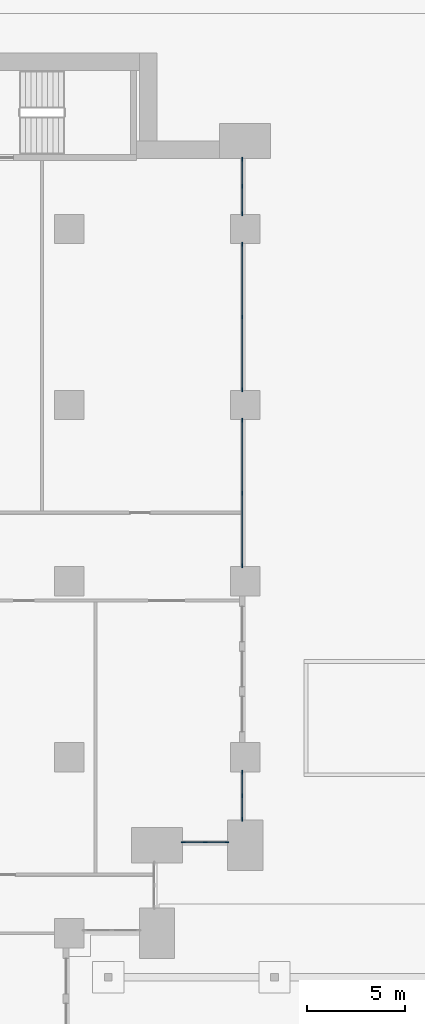
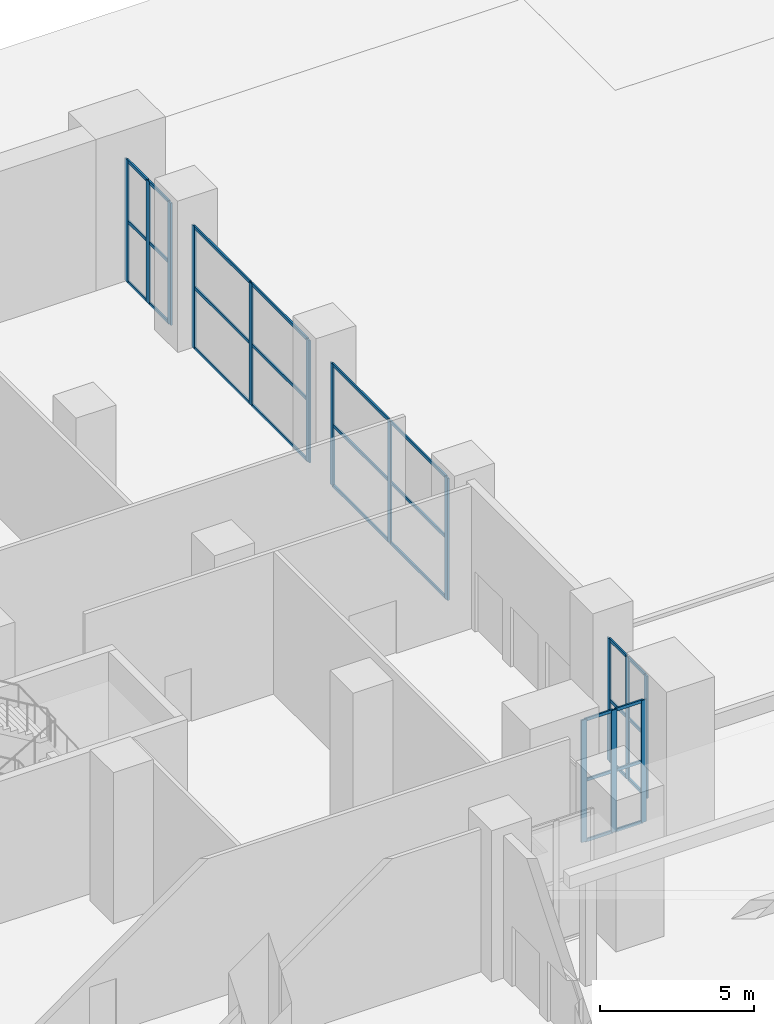
# One storey, part 6 of 47: 45 members, 5 elements without a shape of their own.
"""IFC4 building model written with IfcOpenShell, lengths in metres."""

from ifc_helpers import new_model, si_unit, direction, frame, origin, origin_2d, place, context, subcontext, project, spatial, rectangle, extrude, material, material_profile, profile_set, type_object, element, aggregate, save


model = new_model("IFC4")

# Units and contexts
model_context = context("Model", 3, precision=1e-05, world=origin(), true_north=direction((0.0, 1.0)))
body_context = subcontext(model_context, "Body", "Model", "MODEL_VIEW")
ifc_project = project(units=[si_unit("LENGTHUNIT", "METRE"), si_unit("AREAUNIT", "SQUARE_METRE"), si_unit("VOLUMEUNIT", "CUBIC_METRE"), si_unit("PLANEANGLEUNIT", "RADIAN"), si_unit("MASSUNIT", "GRAM", prefix="KILO")], contexts=[model_context])

# Site, building, storey
site_placement = place(None, origin())
site = spatial("IfcSite", under=ifc_project, at=site_placement, CompositionType="ELEMENT")
building_placement = place(site_placement, origin())
building = spatial("IfcBuilding", under=site, at=building_placement, Name="Hunhe Ridgeline Campus", CompositionType="ELEMENT")
storey_placement = place(building_placement, origin())
storey = spatial("IfcBuildingStorey", under=building, at=storey_placement, Name="L00", CompositionType="ELEMENT", Elevation=0.0)

# Curtain wall, members
ifc_material_1 = material(Name="Aluminium and glass", Category="aluminium")
curtain_wall_type = type_object("IfcCurtainWallType", Name="Podium curtain wall CW-2", PredefinedType="NOTDEFINED", material=ifc_material_1)
curtain_wall_1_placement = place(storey_placement, origin())
curtain_wall_1 = element("IfcCurtainWall", 1, at=curtain_wall_1_placement, inside=storey, type_object=curtain_wall_type, Name="L00 podium curtain wall 3", PredefinedType="NOTDEFINED")
ifc_material_2 = material(Name="Aluminium", Category="aluminium")
ifc_material_profile_1 = material_profile(ifc_material_2, rectangle(XDim=0.06005859375, YDim=0.199951171875, at=origin_2d()))
ifc_profile_set_1 = profile_set([ifc_material_profile_1], Name="Aluminium")
member_type_1 = type_object("IfcMemberType", Name="CW-2 mullion 60x200", PredefinedType="MULLION", material=ifc_profile_set_1)
member_1_placement = place(storey_placement, frame((95.830078125, 58.64990234375, 0.0), z_axis=(0.0, 0.0, 1.0), x_axis=(0.0, 1.0, 0.0)))
member_1 = element("IfcMember", 2, at=member_1_placement, type_object=member_type_1, Name="CW2 mullion 1", PredefinedType="MULLION", context=body_context, shape_type="SweptSolid", body=[
    extrude(rectangle(XDim=0.06005859375, YDim=0.199951171875, at=origin_2d()), origin(), (0.0, 0.0, 1.0), 4.85009765625),
])
member_2_placement = place(storey_placement, frame((96.949951171875, 58.64990234375, 0.0), z_axis=(0.0, 0.0, 1.0), x_axis=(0.0, 1.0, 0.0)))
member_2 = element("IfcMember", 3, at=member_2_placement, type_object=member_type_1, Name="CW2 mullion 2", PredefinedType="MULLION", context=body_context, shape_type="SweptSolid", body=[
    extrude(rectangle(XDim=0.06005859375, YDim=0.199951171875, at=origin_2d()), origin(), (0.0, 0.0, 1.0), 4.85009765625),
])
member_3_placement = place(storey_placement, frame((98.070068359375, 58.64990234375, 0.0), z_axis=(0.0, 0.0, 1.0), x_axis=(0.0, 1.0, 0.0)))
member_3 = element("IfcMember", 4, at=member_3_placement, type_object=member_type_1, Name="CW2 mullion 3", PredefinedType="MULLION", context=body_context, shape_type="SweptSolid", body=[
    extrude(rectangle(XDim=0.06005859375, YDim=0.199951171875, at=origin_2d()), origin(), (0.0, 0.0, 1.0), 4.85009765625),
])

curtain_wall_2_placement = place(storey_placement, origin())
curtain_wall_2 = element("IfcCurtainWall", 5, at=curtain_wall_2_placement, inside=storey, type_object=curtain_wall_type, Name="L00 podium curtain wall 4", PredefinedType="NOTDEFINED")
member_4_placement = place(storey_placement, frame((98.85009765625, 59.830078125, 0.0), z_axis=(0.0, 0.0, 1.0), x_axis=(-1.0, 0.0, 0.0)))
member_4 = element("IfcMember", 6, at=member_4_placement, type_object=member_type_1, Name="CW2 mullion 1", PredefinedType="MULLION", context=body_context, shape_type="SweptSolid", body=[
    extrude(rectangle(XDim=0.06005859375, YDim=0.199951171875, at=origin_2d()), origin(), (0.0, 0.0, 1.0), 4.85009765625),
])
member_5_placement = place(storey_placement, frame((98.85009765625, 61.02490234375, 0.0), z_axis=(0.0, 0.0, 1.0), x_axis=(-1.0, 0.0, 0.0)))
member_5 = element("IfcMember", 7, at=member_5_placement, type_object=member_type_1, Name="CW2 mullion 2", PredefinedType="MULLION", context=body_context, shape_type="SweptSolid", body=[
    extrude(rectangle(XDim=0.06005859375, YDim=0.199951171875, at=origin_2d()), origin(), (0.0, 0.0, 1.0), 4.85009765625),
])
member_6_placement = place(storey_placement, frame((98.85009765625, 62.219970703125, 0.0), z_axis=(0.0, 0.0, 1.0), x_axis=(-1.0, 0.0, 0.0)))
member_6 = element("IfcMember", 8, at=member_6_placement, type_object=member_type_1, Name="CW2 mullion 3", PredefinedType="MULLION", context=body_context, shape_type="SweptSolid", body=[
    extrude(rectangle(XDim=0.06005859375, YDim=0.199951171875, at=origin_2d()), origin(), (0.0, 0.0, 1.0), 4.85009765625),
])

curtain_wall_3_placement = place(storey_placement, origin())
curtain_wall_3 = element("IfcCurtainWall", 9, at=curtain_wall_3_placement, inside=storey, type_object=curtain_wall_type, Name="L00 podium curtain wall 6", PredefinedType="NOTDEFINED")
member_7_placement = place(storey_placement, frame((98.85009765625, 72.780029296875, 0.0), z_axis=(0.0, 0.0, 1.0), x_axis=(-1.0, 0.0, 0.0)))
member_7 = element("IfcMember", 10, at=member_7_placement, type_object=member_type_1, Name="CW2 mullion 1", PredefinedType="MULLION", context=body_context, shape_type="SweptSolid", body=[
    extrude(rectangle(XDim=0.06005859375, YDim=0.199951171875, at=origin_2d()), origin(), (0.0, 0.0, 1.0), 4.85009765625),
])
member_8_placement = place(storey_placement, frame((98.85009765625, 76.5, 0.0), z_axis=(0.0, 0.0, 1.0), x_axis=(-1.0, 0.0, 0.0)))
member_8 = element("IfcMember", 11, at=member_8_placement, type_object=member_type_1, Name="CW2 mullion 2", PredefinedType="MULLION", context=body_context, shape_type="SweptSolid", body=[
    extrude(rectangle(XDim=0.06005859375, YDim=0.199951171875, at=origin_2d()), origin(), (0.0, 0.0, 1.0), 4.85009765625),
])
member_9_placement = place(storey_placement, frame((98.85009765625, 80.219970703125, 0.0), z_axis=(0.0, 0.0, 1.0), x_axis=(-1.0, 0.0, 0.0)))
member_9 = element("IfcMember", 12, at=member_9_placement, type_object=member_type_1, Name="CW2 mullion 3", PredefinedType="MULLION", context=body_context, shape_type="SweptSolid", body=[
    extrude(rectangle(XDim=0.06005859375, YDim=0.199951171875, at=origin_2d()), origin(), (0.0, 0.0, 1.0), 4.85009765625),
])

curtain_wall_4_placement = place(storey_placement, origin())
curtain_wall_4 = element("IfcCurtainWall", 13, at=curtain_wall_4_placement, inside=storey, type_object=curtain_wall_type, Name="L00 podium curtain wall 7", PredefinedType="NOTDEFINED")
member_10_placement = place(storey_placement, frame((98.85009765625, 81.780029296875, 0.0), z_axis=(0.0, 0.0, 1.0), x_axis=(-1.0, 0.0, 0.0)))
member_10 = element("IfcMember", 14, at=member_10_placement, type_object=member_type_1, Name="CW2 mullion 1", PredefinedType="MULLION", context=body_context, shape_type="SweptSolid", body=[
    extrude(rectangle(XDim=0.06005859375, YDim=0.199951171875, at=origin_2d()), origin(), (0.0, 0.0, 1.0), 4.85009765625),
])
member_11_placement = place(storey_placement, frame((98.85009765625, 85.5, 0.0), z_axis=(0.0, 0.0, 1.0), x_axis=(-1.0, 0.0, 0.0)))
member_11 = element("IfcMember", 15, at=member_11_placement, type_object=member_type_1, Name="CW2 mullion 2", PredefinedType="MULLION", context=body_context, shape_type="SweptSolid", body=[
    extrude(rectangle(XDim=0.06005859375, YDim=0.199951171875, at=origin_2d()), origin(), (0.0, 0.0, 1.0), 4.85009765625),
])
member_12_placement = place(storey_placement, frame((98.85009765625, 89.219970703125, 0.0), z_axis=(0.0, 0.0, 1.0), x_axis=(-1.0, 0.0, 0.0)))
member_12 = element("IfcMember", 16, at=member_12_placement, type_object=member_type_1, Name="CW2 mullion 3", PredefinedType="MULLION", context=body_context, shape_type="SweptSolid", body=[
    extrude(rectangle(XDim=0.06005859375, YDim=0.199951171875, at=origin_2d()), origin(), (0.0, 0.0, 1.0), 4.85009765625),
])

curtain_wall_5_placement = place(storey_placement, origin())
curtain_wall_5 = element("IfcCurtainWall", 17, at=curtain_wall_5_placement, inside=storey, type_object=curtain_wall_type, Name="L00 podium curtain wall 8", PredefinedType="NOTDEFINED")
member_13_placement = place(storey_placement, frame((98.85009765625, 90.780029296875, 0.0), z_axis=(0.0, 0.0, 1.0), x_axis=(-1.0, 0.0, 0.0)))
member_13 = element("IfcMember", 18, at=member_13_placement, type_object=member_type_1, Name="CW2 mullion 1", PredefinedType="MULLION", context=body_context, shape_type="SweptSolid", body=[
    extrude(rectangle(XDim=0.06005859375, YDim=0.199951171875, at=origin_2d()), origin(), (0.0, 0.0, 1.0), 4.85009765625),
])
member_14_placement = place(storey_placement, frame((98.85009765625, 92.175048828125, 0.0), z_axis=(0.0, 0.0, 1.0), x_axis=(-1.0, 0.0, 0.0)))
member_14 = element("IfcMember", 19, at=member_14_placement, type_object=member_type_1, Name="CW2 mullion 2", PredefinedType="MULLION", context=body_context, shape_type="SweptSolid", body=[
    extrude(rectangle(XDim=0.06005859375, YDim=0.199951171875, at=origin_2d()), origin(), (0.0, 0.0, 1.0), 4.85009765625),
])
member_15_placement = place(storey_placement, frame((98.85009765625, 93.570068359375, 0.0), z_axis=(0.0, 0.0, 1.0), x_axis=(-1.0, 0.0, 0.0)))
member_15 = element("IfcMember", 20, at=member_15_placement, type_object=member_type_1, Name="CW2 mullion 3", PredefinedType="MULLION", context=body_context, shape_type="SweptSolid", body=[
    extrude(rectangle(XDim=0.06005859375, YDim=0.199951171875, at=origin_2d()), origin(), (0.0, 0.0, 1.0), 4.85009765625),
])

# Member
ifc_material_profile_2 = material_profile(ifc_material_2, rectangle(XDim=0.06005859375, YDim=0.1201171875, at=origin_2d()))
ifc_profile_set_2 = profile_set([ifc_material_profile_2], Name="Aluminium")
member_type_2 = type_object("IfcMemberType", Name="CW-2 transom 60x120", PredefinedType="USERDEFINED", material=ifc_profile_set_2)
member_16_placement = place(storey_placement, frame((95.860107421875, 58.64990234375, 0.030029296875), z_axis=(1.0, 0.0, 0.0), x_axis=(0.0, 1.0, 0.0)))
member_16 = element("IfcMember", 21, at=member_16_placement, type_object=member_type_2, Name="CW2 transom 1.1", ObjectType="TRANSOM", PredefinedType="USERDEFINED", context=body_context, shape_type="SweptSolid", body=[
    extrude(rectangle(XDim=0.06005859375, YDim=0.1201171875, at=origin_2d()), origin(), (0.0, 0.0, 1.0), 1.059814453125),
])

member_17_placement = place(storey_placement, frame((95.860107421875, 58.64990234375, 2.425048828125), z_axis=(1.0, 0.0, 0.0), x_axis=(0.0, 1.0, 0.0)))
member_17 = element("IfcMember", 22, at=member_17_placement, type_object=member_type_2, Name="CW2 transom 1.2", ObjectType="TRANSOM", PredefinedType="USERDEFINED", context=body_context, shape_type="SweptSolid", body=[
    extrude(rectangle(XDim=0.06005859375, YDim=0.1201171875, at=origin_2d()), origin(), (0.0, 0.0, 1.0), 1.059814453125),
])

member_18_placement = place(storey_placement, frame((95.860107421875, 58.64990234375, 4.820068359375), z_axis=(1.0, 0.0, 0.0), x_axis=(0.0, 1.0, 0.0)))
member_18 = element("IfcMember", 23, at=member_18_placement, type_object=member_type_2, Name="CW2 transom 1.3", ObjectType="TRANSOM", PredefinedType="USERDEFINED", context=body_context, shape_type="SweptSolid", body=[
    extrude(rectangle(XDim=0.06005859375, YDim=0.1201171875, at=origin_2d()), origin(), (0.0, 0.0, 1.0), 1.059814453125),
])

member_19_placement = place(storey_placement, frame((96.97998046875, 58.64990234375, 0.030029296875), z_axis=(1.0, 0.0, 0.0), x_axis=(0.0, 1.0, 0.0)))
member_19 = element("IfcMember", 24, at=member_19_placement, type_object=member_type_2, Name="CW2 transom 2.1", ObjectType="TRANSOM", PredefinedType="USERDEFINED", context=body_context, shape_type="SweptSolid", body=[
    extrude(rectangle(XDim=0.06005859375, YDim=0.1201171875, at=origin_2d()), origin(), (0.0, 0.0, 1.0), 1.06005859375),
])

member_20_placement = place(storey_placement, frame((96.97998046875, 58.64990234375, 2.425048828125), z_axis=(1.0, 0.0, 0.0), x_axis=(0.0, 1.0, 0.0)))
member_20 = element("IfcMember", 25, at=member_20_placement, type_object=member_type_2, Name="CW2 transom 2.2", ObjectType="TRANSOM", PredefinedType="USERDEFINED", context=body_context, shape_type="SweptSolid", body=[
    extrude(rectangle(XDim=0.06005859375, YDim=0.1201171875, at=origin_2d()), origin(), (0.0, 0.0, 1.0), 1.06005859375),
])

member_21_placement = place(storey_placement, frame((96.97998046875, 58.64990234375, 4.820068359375), z_axis=(1.0, 0.0, 0.0), x_axis=(0.0, 1.0, 0.0)))
member_21 = element("IfcMember", 26, at=member_21_placement, type_object=member_type_2, Name="CW2 transom 2.3", ObjectType="TRANSOM", PredefinedType="USERDEFINED", context=body_context, shape_type="SweptSolid", body=[
    extrude(rectangle(XDim=0.06005859375, YDim=0.1201171875, at=origin_2d()), origin(), (0.0, 0.0, 1.0), 1.06005859375),
])

aggregate(curtain_wall_1, [member_1, member_2, member_3, member_16, member_17, member_18, member_19, member_20, member_21])

member_22_placement = place(storey_placement, frame((98.85009765625, 59.860107421875, 0.030029296875), z_axis=(0.0, 1.0, 0.0), x_axis=(-1.0, 0.0, 0.0)))
member_22 = element("IfcMember", 27, at=member_22_placement, type_object=member_type_2, Name="CW2 transom 1.1", ObjectType="TRANSOM", PredefinedType="USERDEFINED", context=body_context, shape_type="SweptSolid", body=[
    extrude(rectangle(XDim=0.06005859375, YDim=0.1201171875, at=origin_2d()), origin(), (0.0, 0.0, 1.0), 1.135009765625),
])

member_23_placement = place(storey_placement, frame((98.85009765625, 59.860107421875, 2.425048828125), z_axis=(0.0, 1.0, 0.0), x_axis=(-1.0, 0.0, 0.0)))
member_23 = element("IfcMember", 28, at=member_23_placement, type_object=member_type_2, Name="CW2 transom 1.2", ObjectType="TRANSOM", PredefinedType="USERDEFINED", context=body_context, shape_type="SweptSolid", body=[
    extrude(rectangle(XDim=0.06005859375, YDim=0.1201171875, at=origin_2d()), origin(), (0.0, 0.0, 1.0), 1.135009765625),
])

member_24_placement = place(storey_placement, frame((98.85009765625, 59.860107421875, 4.820068359375), z_axis=(0.0, 1.0, 0.0), x_axis=(-1.0, 0.0, 0.0)))
member_24 = element("IfcMember", 29, at=member_24_placement, type_object=member_type_2, Name="CW2 transom 1.3", ObjectType="TRANSOM", PredefinedType="USERDEFINED", context=body_context, shape_type="SweptSolid", body=[
    extrude(rectangle(XDim=0.06005859375, YDim=0.1201171875, at=origin_2d()), origin(), (0.0, 0.0, 1.0), 1.135009765625),
])

member_25_placement = place(storey_placement, frame((98.85009765625, 61.054931640625, 0.030029296875), z_axis=(0.0, 1.0, 0.0), x_axis=(-1.0, 0.0, 0.0)))
member_25 = element("IfcMember", 30, at=member_25_placement, type_object=member_type_2, Name="CW2 transom 2.1", ObjectType="TRANSOM", PredefinedType="USERDEFINED", context=body_context, shape_type="SweptSolid", body=[
    extrude(rectangle(XDim=0.06005859375, YDim=0.1201171875, at=origin_2d()), origin(), (0.0, 0.0, 1.0), 1.135009765625),
])

member_26_placement = place(storey_placement, frame((98.85009765625, 61.054931640625, 2.425048828125), z_axis=(0.0, 1.0, 0.0), x_axis=(-1.0, 0.0, 0.0)))
member_26 = element("IfcMember", 31, at=member_26_placement, type_object=member_type_2, Name="CW2 transom 2.2", ObjectType="TRANSOM", PredefinedType="USERDEFINED", context=body_context, shape_type="SweptSolid", body=[
    extrude(rectangle(XDim=0.06005859375, YDim=0.1201171875, at=origin_2d()), origin(), (0.0, 0.0, 1.0), 1.135009765625),
])

member_27_placement = place(storey_placement, frame((98.85009765625, 61.054931640625, 4.820068359375), z_axis=(0.0, 1.0, 0.0), x_axis=(-1.0, 0.0, 0.0)))
member_27 = element("IfcMember", 32, at=member_27_placement, type_object=member_type_2, Name="CW2 transom 2.3", ObjectType="TRANSOM", PredefinedType="USERDEFINED", context=body_context, shape_type="SweptSolid", body=[
    extrude(rectangle(XDim=0.06005859375, YDim=0.1201171875, at=origin_2d()), origin(), (0.0, 0.0, 1.0), 1.135009765625),
])

aggregate(curtain_wall_2, [member_4, member_5, member_6, member_22, member_23, member_24, member_25, member_26, member_27])

member_28_placement = place(storey_placement, frame((98.85009765625, 72.81005859375, 0.030029296875), z_axis=(0.0, 1.0, 0.0), x_axis=(-1.0, 0.0, 0.0)))
member_28 = element("IfcMember", 33, at=member_28_placement, type_object=member_type_2, Name="CW2 transom 1.1", ObjectType="TRANSOM", PredefinedType="USERDEFINED", context=body_context, shape_type="SweptSolid", body=[
    extrude(rectangle(XDim=0.06005859375, YDim=0.1201171875, at=origin_2d()), origin(), (0.0, 0.0, 1.0), 3.659912109375),
])

member_29_placement = place(storey_placement, frame((98.85009765625, 72.81005859375, 2.425048828125), z_axis=(0.0, 1.0, 0.0), x_axis=(-1.0, 0.0, 0.0)))
member_29 = element("IfcMember", 34, at=member_29_placement, type_object=member_type_2, Name="CW2 transom 1.2", ObjectType="TRANSOM", PredefinedType="USERDEFINED", context=body_context, shape_type="SweptSolid", body=[
    extrude(rectangle(XDim=0.06005859375, YDim=0.1201171875, at=origin_2d()), origin(), (0.0, 0.0, 1.0), 3.659912109375),
])

member_30_placement = place(storey_placement, frame((98.85009765625, 72.81005859375, 4.820068359375), z_axis=(0.0, 1.0, 0.0), x_axis=(-1.0, 0.0, 0.0)))
member_30 = element("IfcMember", 35, at=member_30_placement, type_object=member_type_2, Name="CW2 transom 1.3", ObjectType="TRANSOM", PredefinedType="USERDEFINED", context=body_context, shape_type="SweptSolid", body=[
    extrude(rectangle(XDim=0.06005859375, YDim=0.1201171875, at=origin_2d()), origin(), (0.0, 0.0, 1.0), 3.659912109375),
])

member_31_placement = place(storey_placement, frame((98.85009765625, 76.530029296875, 0.030029296875), z_axis=(0.0, 1.0, 0.0), x_axis=(-1.0, 0.0, 0.0)))
member_31 = element("IfcMember", 36, at=member_31_placement, type_object=member_type_2, Name="CW2 transom 2.1", ObjectType="TRANSOM", PredefinedType="USERDEFINED", context=body_context, shape_type="SweptSolid", body=[
    extrude(rectangle(XDim=0.06005859375, YDim=0.1201171875, at=origin_2d()), origin(), (0.0, 0.0, 1.0), 3.659912109375),
])

member_32_placement = place(storey_placement, frame((98.85009765625, 76.530029296875, 2.425048828125), z_axis=(0.0, 1.0, 0.0), x_axis=(-1.0, 0.0, 0.0)))
member_32 = element("IfcMember", 37, at=member_32_placement, type_object=member_type_2, Name="CW2 transom 2.2", ObjectType="TRANSOM", PredefinedType="USERDEFINED", context=body_context, shape_type="SweptSolid", body=[
    extrude(rectangle(XDim=0.06005859375, YDim=0.1201171875, at=origin_2d()), origin(), (0.0, 0.0, 1.0), 3.659912109375),
])

member_33_placement = place(storey_placement, frame((98.85009765625, 76.530029296875, 4.820068359375), z_axis=(0.0, 1.0, 0.0), x_axis=(-1.0, 0.0, 0.0)))
member_33 = element("IfcMember", 38, at=member_33_placement, type_object=member_type_2, Name="CW2 transom 2.3", ObjectType="TRANSOM", PredefinedType="USERDEFINED", context=body_context, shape_type="SweptSolid", body=[
    extrude(rectangle(XDim=0.06005859375, YDim=0.1201171875, at=origin_2d()), origin(), (0.0, 0.0, 1.0), 3.659912109375),
])

aggregate(curtain_wall_3, [member_7, member_8, member_9, member_28, member_29, member_30, member_31, member_32, member_33])

member_34_placement = place(storey_placement, frame((98.85009765625, 81.81005859375, 0.030029296875), z_axis=(0.0, 1.0, 0.0), x_axis=(-1.0, 0.0, 0.0)))
member_34 = element("IfcMember", 39, at=member_34_placement, type_object=member_type_2, Name="CW2 transom 1.1", ObjectType="TRANSOM", PredefinedType="USERDEFINED", context=body_context, shape_type="SweptSolid", body=[
    extrude(rectangle(XDim=0.06005859375, YDim=0.1201171875, at=origin_2d()), origin(), (0.0, 0.0, 1.0), 3.659912109375),
])

member_35_placement = place(storey_placement, frame((98.85009765625, 81.81005859375, 2.425048828125), z_axis=(0.0, 1.0, 0.0), x_axis=(-1.0, 0.0, 0.0)))
member_35 = element("IfcMember", 40, at=member_35_placement, type_object=member_type_2, Name="CW2 transom 1.2", ObjectType="TRANSOM", PredefinedType="USERDEFINED", context=body_context, shape_type="SweptSolid", body=[
    extrude(rectangle(XDim=0.06005859375, YDim=0.1201171875, at=origin_2d()), origin(), (0.0, 0.0, 1.0), 3.659912109375),
])

member_36_placement = place(storey_placement, frame((98.85009765625, 81.81005859375, 4.820068359375), z_axis=(0.0, 1.0, 0.0), x_axis=(-1.0, 0.0, 0.0)))
member_36 = element("IfcMember", 41, at=member_36_placement, type_object=member_type_2, Name="CW2 transom 1.3", ObjectType="TRANSOM", PredefinedType="USERDEFINED", context=body_context, shape_type="SweptSolid", body=[
    extrude(rectangle(XDim=0.06005859375, YDim=0.1201171875, at=origin_2d()), origin(), (0.0, 0.0, 1.0), 3.659912109375),
])

member_37_placement = place(storey_placement, frame((98.85009765625, 85.530029296875, 0.030029296875), z_axis=(0.0, 1.0, 0.0), x_axis=(-1.0, 0.0, 0.0)))
member_37 = element("IfcMember", 42, at=member_37_placement, type_object=member_type_2, Name="CW2 transom 2.1", ObjectType="TRANSOM", PredefinedType="USERDEFINED", context=body_context, shape_type="SweptSolid", body=[
    extrude(rectangle(XDim=0.06005859375, YDim=0.1201171875, at=origin_2d()), origin(), (0.0, 0.0, 1.0), 3.659912109375),
])

member_38_placement = place(storey_placement, frame((98.85009765625, 85.530029296875, 2.425048828125), z_axis=(0.0, 1.0, 0.0), x_axis=(-1.0, 0.0, 0.0)))
member_38 = element("IfcMember", 43, at=member_38_placement, type_object=member_type_2, Name="CW2 transom 2.2", ObjectType="TRANSOM", PredefinedType="USERDEFINED", context=body_context, shape_type="SweptSolid", body=[
    extrude(rectangle(XDim=0.06005859375, YDim=0.1201171875, at=origin_2d()), origin(), (0.0, 0.0, 1.0), 3.659912109375),
])

member_39_placement = place(storey_placement, frame((98.85009765625, 85.530029296875, 4.820068359375), z_axis=(0.0, 1.0, 0.0), x_axis=(-1.0, 0.0, 0.0)))
member_39 = element("IfcMember", 44, at=member_39_placement, type_object=member_type_2, Name="CW2 transom 2.3", ObjectType="TRANSOM", PredefinedType="USERDEFINED", context=body_context, shape_type="SweptSolid", body=[
    extrude(rectangle(XDim=0.06005859375, YDim=0.1201171875, at=origin_2d()), origin(), (0.0, 0.0, 1.0), 3.659912109375),
])

aggregate(curtain_wall_4, [member_10, member_11, member_12, member_34, member_35, member_36, member_37, member_38, member_39])

member_40_placement = place(storey_placement, frame((98.85009765625, 90.81005859375, 0.030029296875), z_axis=(0.0, 1.0, 0.0), x_axis=(-1.0, 0.0, 0.0)))
member_40 = element("IfcMember", 45, at=member_40_placement, type_object=member_type_2, Name="CW2 transom 1.1", ObjectType="TRANSOM", PredefinedType="USERDEFINED", context=body_context, shape_type="SweptSolid", body=[
    extrude(rectangle(XDim=0.06005859375, YDim=0.1201171875, at=origin_2d()), origin(), (0.0, 0.0, 1.0), 1.3349609375),
])

member_41_placement = place(storey_placement, frame((98.85009765625, 90.81005859375, 2.425048828125), z_axis=(0.0, 1.0, 0.0), x_axis=(-1.0, 0.0, 0.0)))
member_41 = element("IfcMember", 46, at=member_41_placement, type_object=member_type_2, Name="CW2 transom 1.2", ObjectType="TRANSOM", PredefinedType="USERDEFINED", context=body_context, shape_type="SweptSolid", body=[
    extrude(rectangle(XDim=0.06005859375, YDim=0.1201171875, at=origin_2d()), origin(), (0.0, 0.0, 1.0), 1.3349609375),
])

member_42_placement = place(storey_placement, frame((98.85009765625, 90.81005859375, 4.820068359375), z_axis=(0.0, 1.0, 0.0), x_axis=(-1.0, 0.0, 0.0)))
member_42 = element("IfcMember", 47, at=member_42_placement, type_object=member_type_2, Name="CW2 transom 1.3", ObjectType="TRANSOM", PredefinedType="USERDEFINED", context=body_context, shape_type="SweptSolid", body=[
    extrude(rectangle(XDim=0.06005859375, YDim=0.1201171875, at=origin_2d()), origin(), (0.0, 0.0, 1.0), 1.3349609375),
])

member_43_placement = place(storey_placement, frame((98.85009765625, 92.205078125, 0.030029296875), z_axis=(0.0, 1.0, 0.0), x_axis=(-1.0, 0.0, 0.0)))
member_43 = element("IfcMember", 48, at=member_43_placement, type_object=member_type_2, Name="CW2 transom 2.1", ObjectType="TRANSOM", PredefinedType="USERDEFINED", context=body_context, shape_type="SweptSolid", body=[
    extrude(rectangle(XDim=0.06005859375, YDim=0.1201171875, at=origin_2d()), origin(), (0.0, 0.0, 1.0), 1.3349609375),
])

member_44_placement = place(storey_placement, frame((98.85009765625, 92.205078125, 2.425048828125), z_axis=(0.0, 1.0, 0.0), x_axis=(-1.0, 0.0, 0.0)))
member_44 = element("IfcMember", 49, at=member_44_placement, type_object=member_type_2, Name="CW2 transom 2.2", ObjectType="TRANSOM", PredefinedType="USERDEFINED", context=body_context, shape_type="SweptSolid", body=[
    extrude(rectangle(XDim=0.06005859375, YDim=0.1201171875, at=origin_2d()), origin(), (0.0, 0.0, 1.0), 1.3349609375),
])

member_45_placement = place(storey_placement, frame((98.85009765625, 92.205078125, 4.820068359375), z_axis=(0.0, 1.0, 0.0), x_axis=(-1.0, 0.0, 0.0)))
member_45 = element("IfcMember", 50, at=member_45_placement, type_object=member_type_2, Name="CW2 transom 2.3", ObjectType="TRANSOM", PredefinedType="USERDEFINED", context=body_context, shape_type="SweptSolid", body=[
    extrude(rectangle(XDim=0.06005859375, YDim=0.1201171875, at=origin_2d()), origin(), (0.0, 0.0, 1.0), 1.3349609375),
])

aggregate(curtain_wall_5, [member_13, member_14, member_15, member_40, member_41, member_42, member_43, member_44, member_45])

save(model, "model.ifc")
